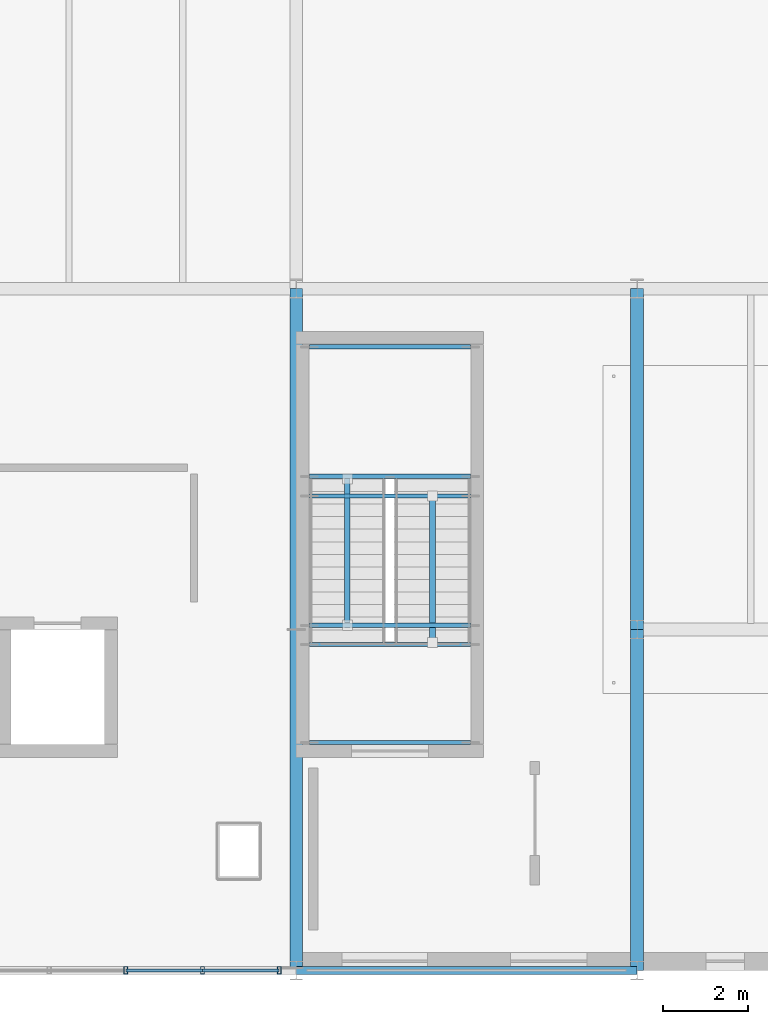
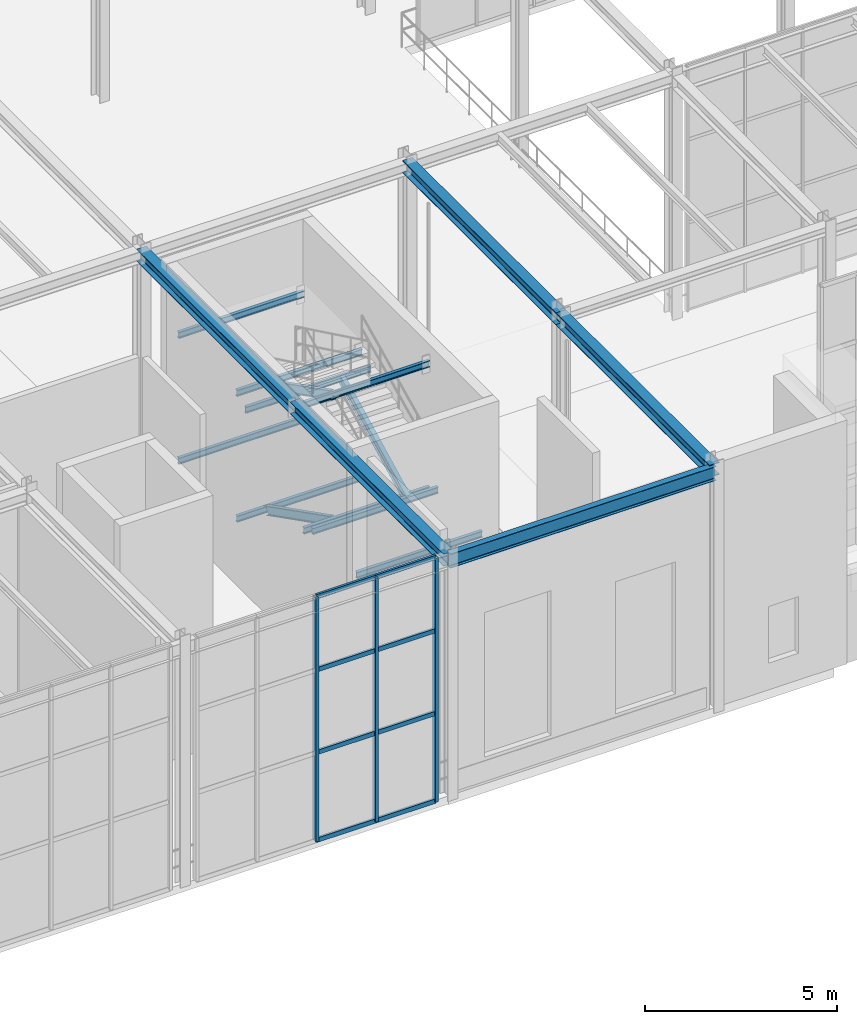
# One storey, part 44 of 138: 14 beams, 14 members, 1 element without a shape of its own.
"""IFC4 building model written with IfcOpenShell, lengths in metres."""

from ifc_helpers import new_model, si_unit, direction, frame, origin, origin_2d, place, context, subcontext, project, spatial, hollow_rectangle, i_section, extrude, material, material_profile, profile_set, type_object, element, aggregate, save


model = new_model("IFC4")

# Units and contexts
model_context = context("Model", 3, precision=1e-05, world=origin(), true_north=direction((0.0, 1.0)))
body_context = subcontext(model_context, "Body", "Model", "MODEL_VIEW")
ifc_project = project(units=[si_unit("LENGTHUNIT", "METRE"), si_unit("AREAUNIT", "SQUARE_METRE"), si_unit("VOLUMEUNIT", "CUBIC_METRE"), si_unit("PLANEANGLEUNIT", "RADIAN"), si_unit("MASSUNIT", "GRAM", prefix="KILO")], contexts=[model_context])

# Site, building, storey
site_placement = place(None, origin())
site = spatial("IfcSite", under=ifc_project, at=site_placement, CompositionType="ELEMENT")
building_placement = place(site_placement, origin())
building = spatial("IfcBuilding", under=site, at=building_placement, Name="Sundkrona Museum", CompositionType="ELEMENT")
storey_placement = place(building_placement, frame((0.0, 0.0, 9.60009765625)))
storey = spatial("IfcBuildingStorey", under=building, at=storey_placement, Name="L02", CompositionType="ELEMENT", Elevation=9.60009765625)

# Beams
ifc_material_1 = material(Name="Steel S355J2", Category="steel")
ifc_material_profile_1 = material_profile(ifc_material_1, i_section(OverallWidth=0.300048828125, OverallDepth=0.389892578125, WebThickness=0.010986328125, FlangeThickness=0.01904296875, FilletRadius=0.027099609375, at=origin_2d()), Name="HEA 400")
ifc_profile_set_1 = profile_set([ifc_material_profile_1], Name="Steel S355J2")
beam_type_1 = type_object("IfcBeamType", Name="B-HEA400", PredefinedType="BEAM", material=ifc_profile_set_1)
for number, where, z_axis, x_axis, name in (
    (1, (120.0, 0.0, 7.544921875), (0.0, 1.0, 0.0), (-1.0, 0.0, 0.0), "L02 Girder Y-1332"),
    (2, (120.0, 8.0, 7.544921875), (0.0, 1.0, 0.0), (-1.0, 0.0, 0.0), "L02 Girder Y-1333"),
    (3, (128.0, 0.0, 7.56494140625), (0.0, 1.0, 0.0), (-1.0, 0.0, 0.0), "L02 Girder Y-1338"),
    (4, (128.0, 8.0, 7.56494140625), (0.0, 1.0, 0.0), (-1.0, 0.0, 0.0), "L02 Girder Y-1339"),
):
    element("IfcBeam", number, at=place(storey_placement, frame(where, z_axis=z_axis, x_axis=x_axis)), inside=storey, type_object=beam_type_1, Name=name, PredefinedType="BEAM", context=body_context, shape_type="SweptSolid", body=[
        extrude(i_section(OverallWidth=0.300048828125, OverallDepth=0.389892578125, WebThickness=0.010986328125, FlangeThickness=0.01904296875, FilletRadius=0.027099609375, at=origin_2d()), origin(), (0.0, 0.0, 1.0), 8.0),
    ])

# Members
ifc_material_profile_2 = material_profile(ifc_material_1, i_section(OverallWidth=0.135009765625, OverallDepth=0.27001953125, WebThickness=0.006591796875, FlangeThickness=0.01025390625, FilletRadius=0.014892578125, at=origin_2d()), Name="IPE 270")
ifc_profile_set_2 = profile_set([ifc_material_profile_2], Name="Steel S355J2")
member_type_1 = type_object("IfcMemberType", Name="BR-IPE270", PredefinedType="BRACE", material=ifc_profile_set_2)
member_1_placement = place(storey_placement, frame((121.199951171875, 11.534912109375, 1.679931640625), z_axis=(0.0, -0.891659684786, 0.45270631377), x_axis=(1.0, 0.0, 0.0)))
element("IfcMember", 5, at=member_1_placement, inside=storey, type_object=member_type_1, Name="SRK-1 L02 ST-2 Flight 2 Inclined Carriage Raker", PredefinedType="BRACE", context=body_context, shape_type="SweptSolid", body=[
    extrude(i_section(OverallWidth=0.135009765625, OverallDepth=0.27001953125, WebThickness=0.006591796875, FlangeThickness=0.01025390625, FilletRadius=0.014892578125, at=origin_2d()), origin(), (0.0, 0.0, 1.0), 3.85205078125),
])
member_2_placement = place(storey_placement, frame((123.199951171875, 7.699951171875, 3.679931640625), z_axis=(0.0, 0.891672672484, 0.452680732022), x_axis=(-1.0, 0.0, 0.0)))
element("IfcMember", 6, at=member_2_placement, inside=storey, type_object=member_type_1, Name="SRK-1 L02 ST-2 Flight 3 Inclined Carriage Raker", PredefinedType="BRACE", context=body_context, shape_type="SweptSolid", body=[
    extrude(i_section(OverallWidth=0.135009765625, OverallDepth=0.27001953125, WebThickness=0.006591796875, FlangeThickness=0.01025390625, FilletRadius=0.014892578125, at=origin_2d()), origin(), (0.0, 0.0, 1.0), 3.852294921875),
])
member_3_placement = place(storey_placement, frame((121.199951171875, 11.534912109375, 5.679931640625), z_axis=(0.0, -0.891659684786, 0.45270631377), x_axis=(1.0, 0.0, 0.0)))
element("IfcMember", 7, at=member_3_placement, inside=storey, type_object=member_type_1, Name="SRK-1 L02 ST-2 Flight 4 Inclined Carriage Raker", PredefinedType="BRACE", context=body_context, shape_type="SweptSolid", body=[
    extrude(i_section(OverallWidth=0.135009765625, OverallDepth=0.27001953125, WebThickness=0.006591796875, FlangeThickness=0.01025390625, FilletRadius=0.014892578125, at=origin_2d()), origin(), (0.0, 0.0, 1.0), 3.85205078125),
])

# Beams
ifc_material_profile_3 = material_profile(ifc_material_1, i_section(OverallWidth=0.10009765625, OverallDepth=0.199951171875, WebThickness=0.005615234375, FlangeThickness=0.008544921875, FilletRadius=0.011962890625, at=origin_2d()), Name="IPE 200")
ifc_profile_set_3 = profile_set([ifc_material_profile_3], Name="Steel S355J2")
beam_type_2 = type_object("IfcBeamType", Name="J-IPE200", PredefinedType="JOIST", material=ifc_profile_set_3)
for number, where, z_axis, x_axis, name in (
    (8, (120.31005859375, 11.598388671875, 1.679931640625), (1.0, 0.0, 0.0), (0.0, 1.0, 0.0), "L02 ST-2 Mid-Landing Trimmer Beam 1A"),
    (9, (120.31005859375, 14.63671875, 1.679931640625), (1.0, 0.0, 0.0), (0.0, 1.0, 0.0), "L02 ST-2 Mid-Landing Trimmer Beam 1B"),
    (10, (120.31005859375, 5.347900390625, 3.679931640625), (1.0, 0.0, 0.0), (0.0, 1.0, 0.0), "L02 ST-2 Mid-Landing Trimmer Beam 2A"),
    (11, (120.31005859375, 7.652099609375, 3.679931640625), (1.0, 0.0, 0.0), (0.0, 1.0, 0.0), "L02 ST-2 Mid-Landing Trimmer Beam 2B"),
    (12, (120.31005859375, 11.598388671875, 5.679931640625), (1.0, 0.0, 0.0), (0.0, 1.0, 0.0), "L02 ST-2 Mid-Landing Trimmer Beam 3A"),
    (13, (120.31005859375, 14.63671875, 5.679931640625), (1.0, 0.0, 0.0), (0.0, 1.0, 0.0), "L02 ST-2 Mid-Landing Trimmer Beam 3B"),
    (14, (120.31005859375, 8.10009765625, 3.423828125), (1.0, 0.0, 0.0), (0.0, 1.0, 0.0), "L02 ST-2 Flight 2 Arrival Header Beam"),
    (15, (120.31005859375, 11.135009765625, 5.423828125), (1.0, 0.0, 0.0), (0.0, 1.0, 0.0), "L02 ST-2 Flight 3 Arrival Header Beam"),
    (16, (120.31005859375, 8.10009765625, 7.423828125), (1.0, 0.0, 0.0), (0.0, 1.0, 0.0), "L02 ST-2 Flight 4 Arrival Header Beam"),
):
    element("IfcBeam", number, at=place(storey_placement, frame(where, z_axis=z_axis, x_axis=x_axis)), inside=storey, type_object=beam_type_2, Name=name, PredefinedType="JOIST", context=body_context, shape_type="SweptSolid", body=[
        extrude(i_section(OverallWidth=0.10009765625, OverallDepth=0.199951171875, WebThickness=0.005615234375, FlangeThickness=0.008544921875, FilletRadius=0.011962890625, at=origin_2d()), origin(), (0.0, 0.0, 1.0), 3.780029296875),
    ])

# Curtain wall, members
ifc_material_2 = material(Name="Unitised Aluminium-Steel and Ceramic-Clad Curtain Walling", Category="steel")
curtain_wall_type = type_object("IfcCurtainWallType", Name="CW-AT-72x74", PredefinedType="NOTDEFINED", material=ifc_material_2)
curtain_wall_placement = place(storey_placement, origin())
curtain_wall = element("IfcCurtainWall", 17, at=curtain_wall_placement, inside=storey, type_object=curtain_wall_type, Name="L02 Curtain Wall CW-L02-047", PredefinedType="NOTDEFINED")
ifc_material_3 = material(Name="Aluminium EN AW-6060 T66", Category="aluminium")
ifc_material_profile_4 = material_profile(ifc_material_3, hollow_rectangle(XDim=0.090087890625, YDim=0.179931640625, WallThickness=0.00634765625, at=origin_2d()), Name="RHS 180x90x6.3")
ifc_profile_set_4 = profile_set([ifc_material_profile_4], Name="Aluminium EN AW-6060 T66")
member_type_2 = type_object("IfcMemberType", Name="ML-180", PredefinedType="MULLION", material=ifc_profile_set_4)
member_4_placement = place(storey_placement, frame((116.0, 0.0, -0.004150390625), z_axis=(0.0, 0.0, 1.0), x_axis=(1.0, 0.0, 0.0)))
member_4 = element("IfcMember", 18, at=member_4_placement, type_object=member_type_2, Name="CW-L02-047 Mullion 03", PredefinedType="MULLION", context=body_context, shape_type="SweptSolid", body=[
    extrude(hollow_rectangle(XDim=0.090087890625, YDim=0.179931640625, WallThickness=0.00634765625, at=origin_2d()), origin(), (0.0, 0.0, 1.0), 7.748046875),
])
member_5_placement = place(storey_placement, frame((117.800048828125, 0.0, -0.004150390625), z_axis=(0.0, 0.0, 1.0), x_axis=(1.0, 0.0, 0.0)))
member_5 = element("IfcMember", 19, at=member_5_placement, type_object=member_type_2, Name="CW-L02-047 Mullion 04", PredefinedType="MULLION", context=body_context, shape_type="SweptSolid", body=[
    extrude(hollow_rectangle(XDim=0.090087890625, YDim=0.179931640625, WallThickness=0.00634765625, at=origin_2d()), origin(), (0.0, 0.0, 1.0), 7.748046875),
])
member_6_placement = place(storey_placement, frame((119.60009765625, 0.0, -0.004150390625), z_axis=(0.0, 0.0, 1.0), x_axis=(1.0, 0.0, 0.0)))
member_6 = element("IfcMember", 20, at=member_6_placement, type_object=member_type_2, Name="CW-L02-047 Mullion 05", PredefinedType="MULLION", context=body_context, shape_type="SweptSolid", body=[
    extrude(hollow_rectangle(XDim=0.090087890625, YDim=0.179931640625, WallThickness=0.00634765625, at=origin_2d()), origin(), (0.0, 0.0, 1.0), 7.748046875),
])

# Beam
ifc_material_profile_5 = material_profile(ifc_material_1, i_section(OverallWidth=0.18994140625, OverallDepth=0.449951171875, WebThickness=0.009521484375, FlangeThickness=0.0146484375, FilletRadius=0.02099609375, at=origin_2d()), Name="IPE 450")
ifc_profile_set_5 = profile_set([ifc_material_profile_5], Name="Steel S355J2")
beam_type_3 = type_object("IfcBeamType", Name="SP-IPE450", PredefinedType="SPANDREL", material=ifc_profile_set_5)
beam_placement = place(storey_placement, frame((120.0, 0.0, 7.514892578125), z_axis=(1.0, 0.0, 0.0), x_axis=(0.0, 1.0, 0.0)))
element("IfcBeam", 21, at=beam_placement, inside=storey, type_object=beam_type_3, Name="L02 Girder X-1127", PredefinedType="SPANDREL", context=body_context, shape_type="SweptSolid", body=[
    extrude(i_section(OverallWidth=0.18994140625, OverallDepth=0.449951171875, WebThickness=0.009521484375, FlangeThickness=0.0146484375, FilletRadius=0.02099609375, at=origin_2d()), origin(), (0.0, 0.0, 1.0), 8.0),
])

# Member
ifc_material_profile_6 = material_profile(ifc_material_3, hollow_rectangle(XDim=0.070068359375, YDim=0.139892578125, WallThickness=0.0048828125, at=origin_2d()), Name="RHS 140x70x5.0")
ifc_profile_set_6 = profile_set([ifc_material_profile_6], Name="Aluminium EN AW-6060 T66")
member_type_3 = type_object("IfcMemberType", Name="TR-140", PredefinedType="USERDEFINED", material=ifc_profile_set_6)
member_7_placement = place(storey_placement, frame((116.0, 0.0, -0.004150390625), z_axis=(1.0, 0.0, 0.0), x_axis=(0.0, 1.0, 0.0)))
member_7 = element("IfcMember", 22, at=member_7_placement, type_object=member_type_3, Name="CW-L02-047 Transom 09", ObjectType="TRANSOM", PredefinedType="USERDEFINED", context=body_context, shape_type="SweptSolid", body=[
    extrude(hollow_rectangle(XDim=0.070068359375, YDim=0.139892578125, WallThickness=0.0048828125, at=origin_2d()), origin(), (0.0, 0.0, 1.0), 1.800048828125),
])

member_8_placement = place(storey_placement, frame((116.0, 0.0, 2.785888671875), z_axis=(1.0, 0.0, 0.0), x_axis=(0.0, 1.0, 0.0)))
member_8 = element("IfcMember", 23, at=member_8_placement, type_object=member_type_3, Name="CW-L02-047 Transom 10", ObjectType="TRANSOM", PredefinedType="USERDEFINED", context=body_context, shape_type="SweptSolid", body=[
    extrude(hollow_rectangle(XDim=0.070068359375, YDim=0.139892578125, WallThickness=0.0048828125, at=origin_2d()), origin(), (0.0, 0.0, 1.0), 1.800048828125),
])

member_9_placement = place(storey_placement, frame((116.0, 0.0, 5.41796875), z_axis=(1.0, 0.0, 0.0), x_axis=(0.0, 1.0, 0.0)))
member_9 = element("IfcMember", 24, at=member_9_placement, type_object=member_type_3, Name="CW-L02-047 Transom 11", ObjectType="TRANSOM", PredefinedType="USERDEFINED", context=body_context, shape_type="SweptSolid", body=[
    extrude(hollow_rectangle(XDim=0.070068359375, YDim=0.139892578125, WallThickness=0.0048828125, at=origin_2d()), origin(), (0.0, 0.0, 1.0), 1.800048828125),
])

member_10_placement = place(storey_placement, frame((116.0, 0.0, 7.743896484375), z_axis=(1.0, 0.0, 0.0), x_axis=(0.0, 1.0, 0.0)))
member_10 = element("IfcMember", 25, at=member_10_placement, type_object=member_type_3, Name="CW-L02-047 Transom 12", ObjectType="TRANSOM", PredefinedType="USERDEFINED", context=body_context, shape_type="SweptSolid", body=[
    extrude(hollow_rectangle(XDim=0.070068359375, YDim=0.139892578125, WallThickness=0.0048828125, at=origin_2d()), origin(), (0.0, 0.0, 1.0), 1.800048828125),
])

member_11_placement = place(storey_placement, frame((117.800048828125, 0.0, -0.004150390625), z_axis=(1.0, 0.0, 0.0), x_axis=(0.0, 1.0, 0.0)))
member_11 = element("IfcMember", 26, at=member_11_placement, type_object=member_type_3, Name="CW-L02-047 Transom 13", ObjectType="TRANSOM", PredefinedType="USERDEFINED", context=body_context, shape_type="SweptSolid", body=[
    extrude(hollow_rectangle(XDim=0.070068359375, YDim=0.139892578125, WallThickness=0.0048828125, at=origin_2d()), origin(), (0.0, 0.0, 1.0), 1.800048828125),
])

member_12_placement = place(storey_placement, frame((117.800048828125, 0.0, 2.785888671875), z_axis=(1.0, 0.0, 0.0), x_axis=(0.0, 1.0, 0.0)))
member_12 = element("IfcMember", 27, at=member_12_placement, type_object=member_type_3, Name="CW-L02-047 Transom 14", ObjectType="TRANSOM", PredefinedType="USERDEFINED", context=body_context, shape_type="SweptSolid", body=[
    extrude(hollow_rectangle(XDim=0.070068359375, YDim=0.139892578125, WallThickness=0.0048828125, at=origin_2d()), origin(), (0.0, 0.0, 1.0), 1.800048828125),
])

member_13_placement = place(storey_placement, frame((117.800048828125, 0.0, 5.41796875), z_axis=(1.0, 0.0, 0.0), x_axis=(0.0, 1.0, 0.0)))
member_13 = element("IfcMember", 28, at=member_13_placement, type_object=member_type_3, Name="CW-L02-047 Transom 15", ObjectType="TRANSOM", PredefinedType="USERDEFINED", context=body_context, shape_type="SweptSolid", body=[
    extrude(hollow_rectangle(XDim=0.070068359375, YDim=0.139892578125, WallThickness=0.0048828125, at=origin_2d()), origin(), (0.0, 0.0, 1.0), 1.800048828125),
])

member_14_placement = place(storey_placement, frame((117.800048828125, 0.0, 7.743896484375), z_axis=(1.0, 0.0, 0.0), x_axis=(0.0, 1.0, 0.0)))
member_14 = element("IfcMember", 29, at=member_14_placement, type_object=member_type_3, Name="CW-L02-047 Transom 16", ObjectType="TRANSOM", PredefinedType="USERDEFINED", context=body_context, shape_type="SweptSolid", body=[
    extrude(hollow_rectangle(XDim=0.070068359375, YDim=0.139892578125, WallThickness=0.0048828125, at=origin_2d()), origin(), (0.0, 0.0, 1.0), 1.800048828125),
])

aggregate(curtain_wall, [member_4, member_5, member_6, member_7, member_8, member_9, member_10, member_11, member_12, member_13, member_14])

save(model, "model.ifc")
